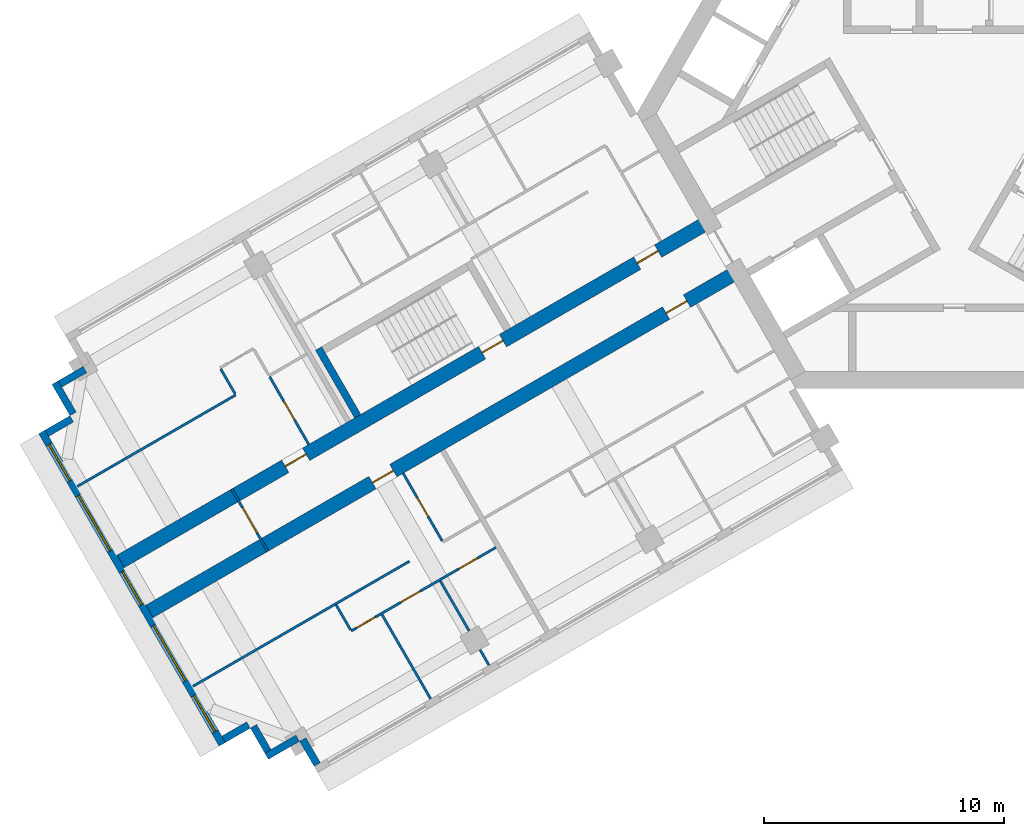
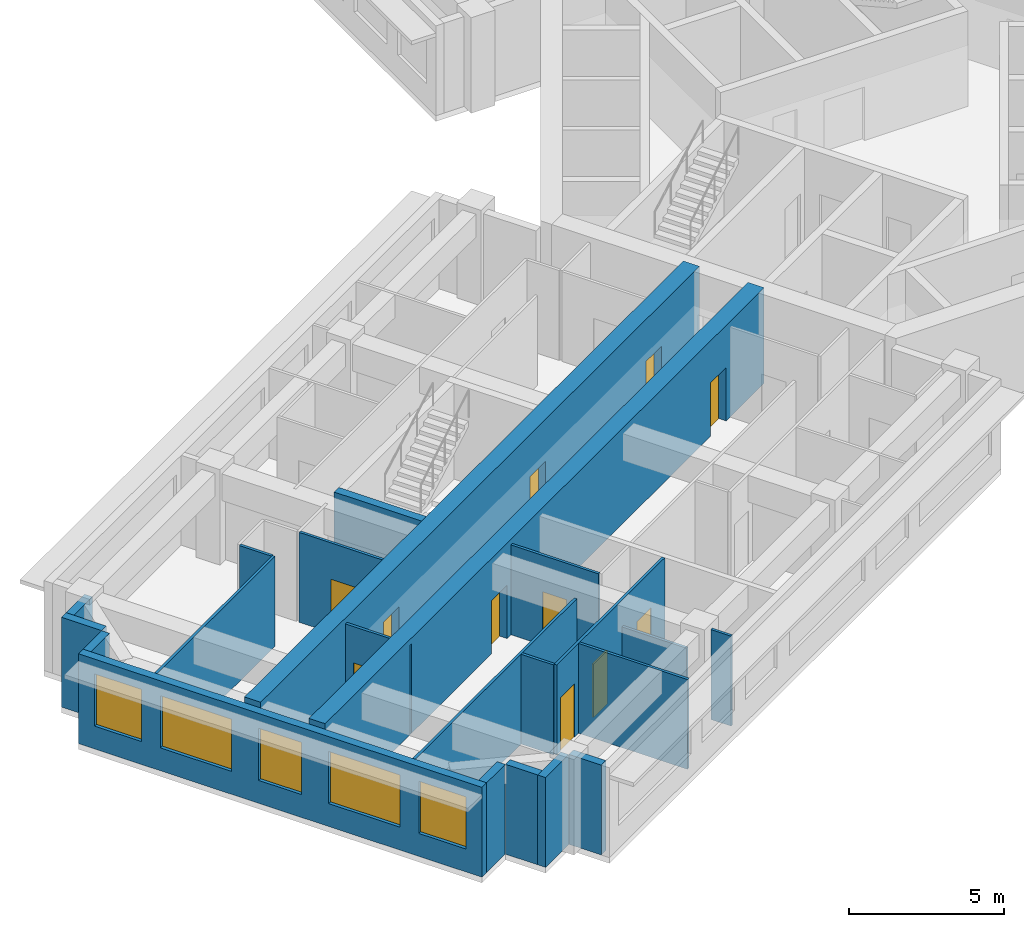
# One storey, part 2 of 11: 22 walls, 11 doors, 5 windows, 16 openings.
"""IFC4 building model written with IfcOpenShell, lengths in metres."""

from ifc_helpers import new_model, si_unit, direction, frame, frame_2d, origin, place, context, subcontext, project, spatial, rectangle, extrude, material, layer, layer_set, type_object, element, fill, save


model = new_model("IFC4")

# Units and contexts
model_context = context("Model", 3, precision=1e-05, world=origin(), true_north=direction((0.0, 1.0)))
body_context = subcontext(model_context, "Body", "Model", "MODEL_VIEW")
ifc_project = project(units=[si_unit("LENGTHUNIT", "METRE"), si_unit("AREAUNIT", "SQUARE_METRE"), si_unit("VOLUMEUNIT", "CUBIC_METRE"), si_unit("PLANEANGLEUNIT", "RADIAN"), si_unit("MASSUNIT", "GRAM", prefix="KILO")], contexts=[model_context])

# Site, building, storey
site_placement = place(None, origin())
site = spatial("IfcSite", under=ifc_project, at=site_placement, CompositionType="ELEMENT")
building_placement = place(site_placement, origin())
building = spatial("IfcBuilding", under=site, at=building_placement, Name="Impinga Residences", CompositionType="ELEMENT")
storey_placement = place(building_placement, frame((0.0, 0.0, 199.75)))
storey = spatial("IfcBuildingStorey", under=building, at=storey_placement, Name="L49", CompositionType="ELEMENT", Elevation=199.75)

# Wall, openings, doors
ifc_material_1 = material(Name="Concrete C60/75", Category="concrete")
ifc_layer_1 = layer(ifc_material_1, 0.60009765625)
ifc_layer_set_1 = layer_set([ifc_layer_1], Name="Concrete C60/75")
wall_type_1 = type_object("IfcWallType", Name="BW3 corridor buttress wall, L46 to L73 600", PredefinedType="SHEAR", material=ifc_layer_set_1)
wall_1_placement = place(storey_placement, frame((-8.996826171875, -6.580078125, 0.0), z_axis=(0.0, 0.0, 1.0), x_axis=(-0.866026415941, -0.499998246889, 0.0)))
wall_1 = element("IfcWall", 1, at=wall_1_placement, inside=storey, type_object=wall_type_1, Name="Corridor wall BW3 WC L49", PredefinedType="SHEAR", context=body_context, shape_type="SweptSolid", body=[
    extrude(rectangle(XDim=28.25, YDim=0.60009765625, at=frame_2d((14.125, 0.0))), origin(), (0.0, 0.0, 1.0), 3.75),
])
opening_1_placement = place(wall_1_placement, frame((2.449951171875, 0.0, 0.0)))
opening_1 = element("IfcOpeningElement", 2, at=opening_1_placement, cuts=wall_1, Name="Opening D1", PredefinedType="OPENING", context=body_context, shape_type="SweptSolid", body=[
    extrude(rectangle(XDim=1.0, YDim=2.10009765625, at=frame_2d((0.5, 1.050048828125))), frame((0.0, 0.31005859375, 0.0), z_axis=(0.0, -1.0, 0.0), x_axis=(1.0, 0.0, 0.0)), (0.0, 0.0, 1.0), 0.6201171875),
])
opening_2_placement = place(wall_1_placement, frame((16.550048828125, 0.0, 0.0)))
opening_2 = element("IfcOpeningElement", 3, at=opening_2_placement, cuts=wall_1, Name="Opening D1", PredefinedType="OPENING", context=body_context, shape_type="SweptSolid", body=[
    extrude(rectangle(XDim=1.0, YDim=2.10009765625, at=frame_2d((0.5, 1.050048828125))), frame((0.0, 0.31005859375, 0.0), z_axis=(0.0, -1.0, 0.0), x_axis=(1.0, 0.0, 0.0)), (0.0, 0.0, 1.0), 0.6201171875),
])
ifc_material_2 = material(Name="Timber door set", Category="wood")
door_type_1 = type_object("IfcDoorType", Name="D1 apartment entrance door 1000x2100", OperationType="SINGLE_SWING_LEFT", PredefinedType="DOOR", material=ifc_material_2)
door_1_placement = place(opening_1_placement, origin())
door_1 = element("IfcDoor", 4, at=door_1_placement, inside=storey, type_object=door_type_1, Name="Apartment L49-WA1 entrance", OperationType="SINGLE_SWING_LEFT", OverallHeight=2.10009765625, OverallWidth=1.0, PredefinedType="DOOR", context=body_context, shape_type="SweptSolid", body=[
    extrude(rectangle(XDim=1.0, YDim=2.10009765625, at=frame_2d((0.5, 1.050048828125))), frame((0.0, 0.02490234375, 0.0), z_axis=(0.0, -1.0, 0.0), x_axis=(1.0, 0.0, 0.0)), (0.0, 0.0, 1.0), 0.050048828125),
])
fill(opening_1, door_1)
door_2_placement = place(opening_2_placement, origin())
door_2 = element("IfcDoor", 5, at=door_2_placement, inside=storey, type_object=door_type_1, Name="Apartment L49-WA2 entrance", OperationType="SINGLE_SWING_RIGHT", OverallHeight=2.10009765625, OverallWidth=1.0, PredefinedType="DOOR", context=body_context, shape_type="SweptSolid", body=[
    extrude(rectangle(XDim=1.0, YDim=2.10009765625, at=frame_2d((0.5, 1.050048828125))), frame((0.0, 0.02490234375, 0.0), z_axis=(0.0, -1.0, 0.0), x_axis=(1.0, 0.0, 0.0)), (0.0, 0.0, 1.0), 0.050048828125),
])
fill(opening_2, door_2)

wall_2_placement = place(storey_placement, frame((-10.19677734375, -4.50146484375, 0.0), z_axis=(0.0, 0.0, 1.0), x_axis=(-0.866026415941, -0.499998246889, 0.0)))
wall_2 = element("IfcWall", 6, at=wall_2_placement, inside=storey, type_object=wall_type_1, Name="Corridor wall BW3 WD L49", PredefinedType="SHEAR", context=body_context, shape_type="SweptSolid", body=[
    extrude(rectangle(XDim=28.25, YDim=0.60009765625, at=frame_2d((14.125, 0.0))), origin(), (0.0, 0.0, 1.0), 3.75),
])
opening_3_placement = place(wall_2_placement, frame((9.89990234375, 0.0, 0.0)))
opening_3 = element("IfcOpeningElement", 7, at=opening_3_placement, cuts=wall_2, Name="Opening D5", PredefinedType="OPENING", context=body_context, shape_type="SweptSolid", body=[
    extrude(rectangle(XDim=1.0, YDim=2.10009765625, at=frame_2d((0.5, 1.050048828125))), frame((0.0, 0.31005859375, 0.0), z_axis=(0.0, -1.0, 0.0), x_axis=(1.0, 0.0, 0.0)), (0.0, 0.0, 1.0), 0.6201171875),
])
opening_4_placement = place(wall_2_placement, frame((2.449951171875, 0.0, 0.0)))
opening_4 = element("IfcOpeningElement", 8, at=opening_4_placement, cuts=wall_2, Name="Opening D1", PredefinedType="OPENING", context=body_context, shape_type="SweptSolid", body=[
    extrude(rectangle(XDim=1.0, YDim=2.10009765625, at=frame_2d((0.5, 1.050048828125))), frame((0.0, 0.31005859375, 0.0), z_axis=(0.0, -1.0, 0.0), x_axis=(1.0, 0.0, 0.0)), (0.0, 0.0, 1.0), 0.6201171875),
])
opening_5_placement = place(wall_2_placement, frame((19.35009765625, 0.0, 0.0)))
opening_5 = element("IfcOpeningElement", 9, at=opening_5_placement, cuts=wall_2, Name="Opening D1", PredefinedType="OPENING", context=body_context, shape_type="SweptSolid", body=[
    extrude(rectangle(XDim=1.0, YDim=2.10009765625, at=frame_2d((0.5, 1.050048828125))), frame((0.0, 0.31005859375, 0.0), z_axis=(0.0, -1.0, 0.0), x_axis=(1.0, 0.0, 0.0)), (0.0, 0.0, 1.0), 0.6201171875),
])
door_3_placement = place(opening_4_placement, origin())
door_3 = element("IfcDoor", 10, at=door_3_placement, inside=storey, type_object=door_type_1, Name="Apartment L49-WF1 entrance", OperationType="SINGLE_SWING_LEFT", OverallHeight=2.10009765625, OverallWidth=1.0, PredefinedType="DOOR", context=body_context, shape_type="SweptSolid", body=[
    extrude(rectangle(XDim=1.0, YDim=2.10009765625, at=frame_2d((0.5, 1.050048828125))), frame((0.0, 0.02490234375, 0.0), z_axis=(0.0, -1.0, 0.0), x_axis=(1.0, 0.0, 0.0)), (0.0, 0.0, 1.0), 0.050048828125),
])
fill(opening_4, door_3)
door_4_placement = place(opening_5_placement, origin())
door_4 = element("IfcDoor", 11, at=door_4_placement, inside=storey, type_object=door_type_1, Name="Apartment L49-WF2 entrance", OperationType="SINGLE_SWING_RIGHT", OverallHeight=2.10009765625, OverallWidth=1.0, PredefinedType="DOOR", context=body_context, shape_type="SweptSolid", body=[
    extrude(rectangle(XDim=1.0, YDim=2.10009765625, at=frame_2d((0.5, 1.050048828125))), frame((0.0, 0.02490234375, 0.0), z_axis=(0.0, -1.0, 0.0), x_axis=(1.0, 0.0, 0.0)), (0.0, 0.0, 1.0), 0.050048828125),
])
fill(opening_5, door_4)
door_type_2 = type_object("IfcDoorType", Name="D5 stair door 1000x2100", OperationType="SINGLE_SWING_LEFT", PredefinedType="DOOR", material=ifc_material_2)
door_5_placement = place(opening_3_placement, origin())
door_5 = element("IfcDoor", 12, at=door_5_placement, inside=storey, type_object=door_type_2, Name="Wing stair door W", OperationType="SINGLE_SWING_LEFT", OverallHeight=2.10009765625, OverallWidth=1.0, PredefinedType="DOOR", context=body_context, shape_type="SweptSolid", body=[
    extrude(rectangle(XDim=1.0, YDim=2.10009765625, at=frame_2d((0.5, 1.050048828125))), frame((0.0, 0.02490234375, 0.0), z_axis=(0.0, -1.0, 0.0), x_axis=(1.0, 0.0, 0.0)), (0.0, 0.0, 1.0), 0.050048828125),
])
fill(opening_3, door_5)

# Wall, opening, door
ifc_material_3 = material(Name="Concrete blockwork", Category="masonry")
ifc_layer_2 = layer(ifc_material_3, 0.10009765625)
ifc_layer_set_2 = layer_set([ifc_layer_2], Name="CP1 core room partition, blockwork 100")
wall_type_2 = type_object("IfcWallType", Name="CP1 core room partition, blockwork 100", PredefinedType="PARTITIONING", material=ifc_layer_set_2)
wall_3_placement = place(storey_placement, frame((-28.549072265625, -18.21484375, 0.0), z_axis=(0.0, 0.0, 1.0), x_axis=(-0.499990139034, 0.866031096941, 0.0)))
wall_3 = element("IfcWall", 13, at=wall_3_placement, inside=storey, type_object=wall_type_2, Name="Core room partition, blockwork L49:W:LNG", PredefinedType="PARTITIONING", context=body_context, shape_type="SweptSolid", body=[
    extrude(rectangle(XDim=3.0, YDim=0.10009765625, at=frame_2d((1.5, 0.0))), origin(), (0.0, 0.0, 1.0), 3.530029296875),
])
opening_6_placement = place(wall_3_placement, frame((0.89990234375, 0.0, 0.0)))
opening_6 = element("IfcOpeningElement", 14, at=opening_6_placement, cuts=wall_3, Name="Opening D3", PredefinedType="OPENING", context=body_context, shape_type="SweptSolid", body=[
    extrude(rectangle(XDim=1.199951171875, YDim=2.10009765625, at=frame_2d((0.60009765625, 1.050048828125))), frame((0.0, 0.06005859375, 0.0), z_axis=(0.0, -1.0, 0.0), x_axis=(1.0, 0.0, 0.0)), (0.0, 0.0, 1.0), 0.1201171875),
])
door_type_3 = type_object("IfcDoorType", Name="D3 room door, leaf and a half 1200x2100", OperationType="DOUBLE_SWING_LEFT", PredefinedType="DOOR", material=ifc_material_2)
door_6_placement = place(opening_6_placement, origin())
door_6 = element("IfcDoor", 15, at=door_6_placement, inside=storey, type_object=door_type_3, Name="Residents' lounge door W", OperationType="DOUBLE_SWING_LEFT", OverallHeight=2.10009765625, OverallWidth=1.199951171875, PredefinedType="DOOR", context=body_context, shape_type="SweptSolid", body=[
    extrude(rectangle(XDim=1.199951171875, YDim=2.10009765625, at=frame_2d((0.60009765625, 1.050048828125))), frame((0.0, 0.02490234375, 0.0), z_axis=(0.0, -1.0, 0.0), x_axis=(1.0, 0.0, 0.0)), (0.0, 0.0, 1.0), 0.050048828125),
])
fill(opening_6, door_6)

# Walls
ifc_material_4 = material(Name="Terracotta rainscreen on blockwork", Category="masonry")
ifc_layer_3 = layer(ifc_material_4, 0.300048828125)
ifc_layer_set_3 = layer_set([ifc_layer_3], Name="EW1 external wall, terracotta rainscreen on blockwork 300")
wall_type_3 = type_object("IfcWallType", Name="EW1 external wall, terracotta rainscreen on blockwork 300", PredefinedType="SOLIDWALL", material=ifc_layer_set_3)
wall_4_placement = place(storey_placement, frame((-26.493896484375, -27.07421875, 0.0), z_axis=(0.0, 0.0, 1.0), x_axis=(-0.500033551112, 0.866006032174, 0.0)))
element("IfcWall", 16, at=wall_4_placement, inside=storey, type_object=wall_type_3, Name="External wall EW1 L49", PredefinedType="SOLIDWALL", context=body_context, shape_type="SweptSolid", body=[
    extrude(rectangle(XDim=1.2001953125, YDim=0.300048828125, at=frame_2d((0.60009765625, 0.0))), origin(), (0.0, 0.0, 1.0), 3.530029296875),
])
wall_5_placement = place(storey_placement, frame((-27.30322265625, -25.982666015625, 0.0), z_axis=(0.0, 0.0, 1.0), x_axis=(-0.866074087889, -0.499915667175, 0.0)))
element("IfcWall", 17, at=wall_5_placement, inside=storey, type_object=wall_type_3, Name="External wall EW1 L49", PredefinedType="SOLIDWALL", context=body_context, shape_type="SweptSolid", body=[
    extrude(rectangle(XDim=1.494873046875, YDim=0.300048828125, at=frame_2d((0.74755859375, 0.0))), origin(), (0.0, 0.0, 1.0), 3.530029296875),
])
wall_6_placement = place(storey_placement, frame((-28.54296875, -26.525146484375, 0.0), z_axis=(0.0, 0.0, 1.0), x_axis=(-0.500033551112, 0.866006032174, 0.0)))
element("IfcWall", 18, at=wall_6_placement, inside=storey, type_object=wall_type_3, Name="External wall EW1 L49", PredefinedType="SOLIDWALL", context=body_context, shape_type="SweptSolid", body=[
    extrude(rectangle(XDim=1.2001953125, YDim=0.300048828125, at=frame_2d((0.60009765625, 0.0))), origin(), (0.0, 0.0, 1.0), 3.530029296875),
])
wall_7_placement = place(storey_placement, frame((-29.352294921875, -25.43359375, 0.0), z_axis=(0.0, 0.0, 1.0), x_axis=(-0.866059708757, -0.499940577336, 0.0)))
element("IfcWall", 19, at=wall_7_placement, inside=storey, type_object=wall_type_3, Name="External wall EW1 L49", PredefinedType="SOLIDWALL", context=body_context, shape_type="SweptSolid", body=[
    extrude(rectangle(XDim=1.195068359375, YDim=0.300048828125, at=frame_2d((0.59765625, 0.0))), origin(), (0.0, 0.0, 1.0), 3.530029296875),
])

# Wall, openings, windows
wall_8_placement = place(storey_placement, frame((-30.44189453125, -26.23583984375, 0.0), z_axis=(0.0, 0.0, 1.0), x_axis=(-0.500004234368, 0.866022959057, 0.0)))
wall_8 = element("IfcWall", 20, at=wall_8_placement, inside=storey, type_object=wall_type_3, Name="External wall EW1 L49", PredefinedType="SOLIDWALL", context=body_context, shape_type="SweptSolid", body=[
    extrude(rectangle(XDim=14.999755859375, YDim=0.300048828125, at=frame_2d((7.5, 0.0))), origin(), (0.0, 0.0, 1.0), 3.530029296875),
])
opening_7_placement = place(wall_8_placement, frame((0.60009765625, 0.0, 0.89990234375)))
opening_7 = element("IfcOpeningElement", 21, at=opening_7_placement, cuts=wall_8, Name="Opening W1", PredefinedType="OPENING", context=body_context, shape_type="SweptSolid", body=[
    extrude(rectangle(XDim=1.75, YDim=2.050048828125, at=frame_2d((0.875, 1.02490234375))), frame((0.0, 0.159912109375, 0.0), z_axis=(0.0, -1.0, 0.0), x_axis=(1.0, 0.0, 0.0)), (0.0, 0.0, 1.0), 0.320068359375),
])
opening_8_placement = place(wall_8_placement, frame((3.050048828125, 0.0, 0.89990234375)))
opening_8 = element("IfcOpeningElement", 22, at=opening_8_placement, cuts=wall_8, Name="Opening W18", PredefinedType="OPENING", context=body_context, shape_type="SweptSolid", body=[
    extrude(rectangle(XDim=2.64990234375, YDim=2.050048828125, at=frame_2d((1.324951171875, 1.02490234375))), frame((0.0, 0.159912109375, 0.0), z_axis=(0.0, -1.0, 0.0), x_axis=(1.0, 0.0, 0.0)), (0.0, 0.0, 1.0), 0.320068359375),
])
opening_9_placement = place(wall_8_placement, frame((6.699951171875, 0.0, 0.89990234375)))
opening_9 = element("IfcOpeningElement", 23, at=opening_9_placement, cuts=wall_8, Name="Opening W19", PredefinedType="OPENING", context=body_context, shape_type="SweptSolid", body=[
    extrude(rectangle(XDim=1.60009765625, YDim=2.050048828125, at=frame_2d((0.800048828125, 1.02490234375))), frame((0.0, 0.159912109375, 0.0), z_axis=(0.0, -1.0, 0.0), x_axis=(1.0, 0.0, 0.0)), (0.0, 0.0, 1.0), 0.320068359375),
])
opening_10_placement = place(wall_8_placement, frame((9.300048828125, 0.0, 0.89990234375)))
opening_10 = element("IfcOpeningElement", 24, at=opening_10_placement, cuts=wall_8, Name="Opening W18", PredefinedType="OPENING", context=body_context, shape_type="SweptSolid", body=[
    extrude(rectangle(XDim=2.64990234375, YDim=2.050048828125, at=frame_2d((1.324951171875, 1.02490234375))), frame((0.0, 0.159912109375, 0.0), z_axis=(0.0, -1.0, 0.0), x_axis=(1.0, 0.0, 0.0)), (0.0, 0.0, 1.0), 0.320068359375),
])
opening_11_placement = place(wall_8_placement, frame((12.64990234375, 0.0, 0.89990234375)))
opening_11 = element("IfcOpeningElement", 25, at=opening_11_placement, cuts=wall_8, Name="Opening W1", PredefinedType="OPENING", context=body_context, shape_type="SweptSolid", body=[
    extrude(rectangle(XDim=1.75, YDim=2.050048828125, at=frame_2d((0.875, 1.02490234375))), frame((0.0, 0.159912109375, 0.0), z_axis=(0.0, -1.0, 0.0), x_axis=(1.0, 0.0, 0.0)), (0.0, 0.0, 1.0), 0.320068359375),
])
ifc_material_5 = material(Name="Aluminium window, clear double glazing", Category="aluminium")
window_type_1 = type_object("IfcWindowType", Name="W1 ribbon window 1750x2050", PartitioningType="SINGLE_PANEL", PredefinedType="WINDOW", material=ifc_material_5)
window_1_placement = place(opening_7_placement, origin())
window_1 = element("IfcWindow", 26, at=window_1_placement, inside=storey, type_object=window_type_1, Name="Window L49", OverallHeight=2.050048828125, OverallWidth=1.75, PartitioningType="SINGLE_PANEL", PredefinedType="WINDOW", context=body_context, shape_type="SweptSolid", body=[
    extrude(rectangle(XDim=1.75, YDim=2.050048828125, at=frame_2d((0.875, 1.02490234375))), frame((0.0, 0.030029296875, 0.0), z_axis=(0.0, -1.0, 0.0), x_axis=(1.0, 0.0, 0.0)), (0.0, 0.0, 1.0), 0.06005859375),
])
fill(opening_7, window_1)
window_2_placement = place(opening_11_placement, origin())
window_2 = element("IfcWindow", 27, at=window_2_placement, inside=storey, type_object=window_type_1, Name="Window L49", OverallHeight=2.050048828125, OverallWidth=1.75, PartitioningType="SINGLE_PANEL", PredefinedType="WINDOW", context=body_context, shape_type="SweptSolid", body=[
    extrude(rectangle(XDim=1.75, YDim=2.050048828125, at=frame_2d((0.875, 1.02490234375))), frame((0.0, 0.030029296875, 0.0), z_axis=(0.0, -1.0, 0.0), x_axis=(1.0, 0.0, 0.0)), (0.0, 0.0, 1.0), 0.06005859375),
])
fill(opening_11, window_2)
window_type_2 = type_object("IfcWindowType", Name="W18 ribbon window 2650x2050", PartitioningType="SINGLE_PANEL", PredefinedType="WINDOW", material=ifc_material_5)
window_3_placement = place(opening_8_placement, origin())
window_3 = element("IfcWindow", 28, at=window_3_placement, inside=storey, type_object=window_type_2, Name="Window L49", OverallHeight=2.050048828125, OverallWidth=2.64990234375, PartitioningType="SINGLE_PANEL", PredefinedType="WINDOW", context=body_context, shape_type="SweptSolid", body=[
    extrude(rectangle(XDim=2.64990234375, YDim=2.050048828125, at=frame_2d((1.324951171875, 1.02490234375))), frame((0.0, 0.030029296875, 0.0), z_axis=(0.0, -1.0, 0.0), x_axis=(1.0, 0.0, 0.0)), (0.0, 0.0, 1.0), 0.06005859375),
])
fill(opening_8, window_3)
window_4_placement = place(opening_10_placement, origin())
window_4 = element("IfcWindow", 29, at=window_4_placement, inside=storey, type_object=window_type_2, Name="Window L49", OverallHeight=2.050048828125, OverallWidth=2.64990234375, PartitioningType="SINGLE_PANEL", PredefinedType="WINDOW", context=body_context, shape_type="SweptSolid", body=[
    extrude(rectangle(XDim=2.64990234375, YDim=2.050048828125, at=frame_2d((1.324951171875, 1.02490234375))), frame((0.0, 0.030029296875, 0.0), z_axis=(0.0, -1.0, 0.0), x_axis=(1.0, 0.0, 0.0)), (0.0, 0.0, 1.0), 0.06005859375),
])
fill(opening_10, window_4)
window_type_3 = type_object("IfcWindowType", Name="W19 ribbon window 1600x2050", PartitioningType="SINGLE_PANEL", PredefinedType="WINDOW", material=ifc_material_5)
window_5_placement = place(opening_9_placement, origin())
window_5 = element("IfcWindow", 30, at=window_5_placement, inside=storey, type_object=window_type_3, Name="Window L49", OverallHeight=2.050048828125, OverallWidth=1.60009765625, PartitioningType="SINGLE_PANEL", PredefinedType="WINDOW", context=body_context, shape_type="SweptSolid", body=[
    extrude(rectangle(XDim=1.60009765625, YDim=2.050048828125, at=frame_2d((0.800048828125, 1.02490234375))), frame((0.0, 0.030029296875, 0.0), z_axis=(0.0, -1.0, 0.0), x_axis=(1.0, 0.0, 0.0)), (0.0, 0.0, 1.0), 0.06005859375),
])
fill(opening_9, window_5)

# Walls
wall_9_placement = place(storey_placement, frame((-37.737060546875, -13.300537109375, 0.0), z_axis=(0.0, 0.0, 1.0), x_axis=(0.865971243484, 0.500093796661, 0.0)))
element("IfcWall", 31, at=wall_9_placement, inside=storey, type_object=wall_type_3, Name="External wall EW1 L49", PredefinedType="SOLIDWALL", context=body_context, shape_type="SweptSolid", body=[
    extrude(rectangle(XDim=1.195068359375, YDim=0.300048828125, at=frame_2d((0.59765625, 0.0))), origin(), (0.0, 0.0, 1.0), 3.530029296875),
])
wall_10_placement = place(storey_placement, frame((-36.64306640625, -12.49560546875, 0.0), z_axis=(0.0, 0.0, 1.0), x_axis=(-0.499990139034, 0.866031096941, 0.0)))
element("IfcWall", 32, at=wall_10_placement, inside=storey, type_object=wall_type_3, Name="External wall EW1 L49", PredefinedType="SOLIDWALL", context=body_context, shape_type="SweptSolid", body=[
    extrude(rectangle(XDim=1.5, YDim=0.300048828125, at=frame_2d((0.75, 0.0))), origin(), (0.0, 0.0, 1.0), 3.530029296875),
])
wall_11_placement = place(storey_placement, frame((-37.18798828125, -11.25146484375, 0.0), z_axis=(0.0, 0.0, 1.0), x_axis=(0.866059708757, 0.499940577336, 0.0)))
element("IfcWall", 33, at=wall_11_placement, inside=storey, type_object=wall_type_3, Name="External wall EW1 L49", PredefinedType="SOLIDWALL", context=body_context, shape_type="SweptSolid", body=[
    extrude(rectangle(XDim=1.195068359375, YDim=0.300048828125, at=frame_2d((0.59765625, 0.0))), origin(), (0.0, 0.0, 1.0), 3.530029296875),
])
ifc_material_6 = material(Name="Gypsum board on steel studs", Category="steel")
ifc_layer_4 = layer(ifc_material_6, 0.10009765625)
ifc_layer_set_4 = layer_set([ifc_layer_4], Name="Gypsum board on steel studs")
wall_type_4 = type_object("IfcWallType", Name="IP1 partition 100", PredefinedType="PARTITIONING", material=ifc_layer_set_4)
wall_12_placement = place(storey_placement, frame((-22.655517578125, -18.622802734375, 0.0), z_axis=(0.0, 0.0, 1.0), x_axis=(-0.866025696342, -0.499999493275, 0.0)))
element("IfcWall", 34, at=wall_12_placement, inside=storey, type_object=wall_type_4, Name="Partition L49-WA2:DIV1", PredefinedType="PARTITIONING", context=body_context, shape_type="SweptSolid", body=[
    extrude(rectangle(XDim=10.39990234375, YDim=0.10009765625, at=frame_2d((5.199951171875, 0.0))), origin(), (0.0, 0.0, 1.0), 3.530029296875),
])

# Wall, openings, doors
wall_13_placement = place(storey_placement, frame((-19.06103515625, -18.048583984375, 0.0), z_axis=(0.0, 0.0, 1.0), x_axis=(-0.866031734426, -0.499989034847, 0.0)))
wall_13 = element("IfcWall", 35, at=wall_13_placement, inside=storey, type_object=wall_type_4, Name="Partition L49-WA2:STRIP", PredefinedType="PARTITIONING", context=body_context, shape_type="SweptSolid", body=[
    extrude(rectangle(XDim=6.949951171875, YDim=0.10009765625, at=frame_2d((3.47509765625, 0.0))), origin(), (0.0, 0.0, 1.0), 3.530029296875),
])
opening_12_placement = place(wall_13_placement, frame((0.875, 0.0, 0.0)))
opening_12 = element("IfcOpeningElement", 36, at=opening_12_placement, cuts=wall_13, Name="Opening D2", PredefinedType="OPENING", context=body_context, shape_type="SweptSolid", body=[
    extrude(rectangle(XDim=0.89990234375, YDim=2.10009765625, at=frame_2d((0.449951171875, 1.050048828125))), frame((0.0, 0.06005859375, 0.0), z_axis=(0.0, -1.0, 0.0), x_axis=(1.0, 0.0, 0.0)), (0.0, 0.0, 1.0), 0.1201171875),
])
opening_13_placement = place(wall_13_placement, frame((3.64990234375, 0.0, 0.0)))
opening_13 = element("IfcOpeningElement", 37, at=opening_13_placement, cuts=wall_13, Name="Opening D2", PredefinedType="OPENING", context=body_context, shape_type="SweptSolid", body=[
    extrude(rectangle(XDim=0.89990234375, YDim=2.10009765625, at=frame_2d((0.449951171875, 1.050048828125))), frame((0.0, 0.06005859375, 0.0), z_axis=(0.0, -1.0, 0.0), x_axis=(1.0, 0.0, 0.0)), (0.0, 0.0, 1.0), 0.1201171875),
])
opening_14_placement = place(wall_13_placement, frame((5.800048828125, 0.0, 0.0)))
opening_14 = element("IfcOpeningElement", 38, at=opening_14_placement, cuts=wall_13, Name="Opening D2", PredefinedType="OPENING", context=body_context, shape_type="SweptSolid", body=[
    extrude(rectangle(XDim=0.89990234375, YDim=2.10009765625, at=frame_2d((0.449951171875, 1.050048828125))), frame((0.0, 0.06005859375, 0.0), z_axis=(0.0, -1.0, 0.0), x_axis=(1.0, 0.0, 0.0)), (0.0, 0.0, 1.0), 0.1201171875),
])
door_type_4 = type_object("IfcDoorType", Name="D2 internal door 900x2100", OperationType="SINGLE_SWING_LEFT", PredefinedType="DOOR", material=ifc_material_2)
door_7_placement = place(opening_12_placement, origin())
door_7 = element("IfcDoor", 39, at=door_7_placement, inside=storey, type_object=door_type_4, Name="Apartment L49-WA2 room door", OperationType="SINGLE_SWING_LEFT", OverallHeight=2.10009765625, OverallWidth=0.89990234375, PredefinedType="DOOR", context=body_context, shape_type="SweptSolid", body=[
    extrude(rectangle(XDim=0.89990234375, YDim=2.10009765625, at=frame_2d((0.449951171875, 1.050048828125))), frame((0.0, 0.02490234375, 0.0), z_axis=(0.0, -1.0, 0.0), x_axis=(1.0, 0.0, 0.0)), (0.0, 0.0, 1.0), 0.050048828125),
])
fill(opening_12, door_7)
door_8_placement = place(opening_13_placement, origin())
door_8 = element("IfcDoor", 40, at=door_8_placement, inside=storey, type_object=door_type_4, Name="Apartment L49-WA2 room door", OperationType="SINGLE_SWING_RIGHT", OverallHeight=2.10009765625, OverallWidth=0.89990234375, PredefinedType="DOOR", context=body_context, shape_type="SweptSolid", body=[
    extrude(rectangle(XDim=0.89990234375, YDim=2.10009765625, at=frame_2d((0.449951171875, 1.050048828125))), frame((0.0, 0.02490234375, 0.0), z_axis=(0.0, -1.0, 0.0), x_axis=(1.0, 0.0, 0.0)), (0.0, 0.0, 1.0), 0.050048828125),
])
fill(opening_13, door_8)
door_9_placement = place(opening_14_placement, origin())
door_9 = element("IfcDoor", 41, at=door_9_placement, inside=storey, type_object=door_type_4, Name="Apartment L49-WA2 room door", OperationType="SINGLE_SWING_RIGHT", OverallHeight=2.10009765625, OverallWidth=0.89990234375, PredefinedType="DOOR", context=body_context, shape_type="SweptSolid", body=[
    extrude(rectangle(XDim=0.89990234375, YDim=2.10009765625, at=frame_2d((0.449951171875, 1.050048828125))), frame((0.0, 0.02490234375, 0.0), z_axis=(0.0, -1.0, 0.0), x_axis=(1.0, 0.0, 0.0)), (0.0, 0.0, 1.0), 0.050048828125),
])
fill(opening_14, door_9)

# Wall
wall_14_placement = place(storey_placement, frame((-25.704833984375, -20.44091796875, 0.0), z_axis=(0.0, 0.0, 1.0), x_axis=(0.500033551112, -0.866006032174, 0.0)))
element("IfcWall", 42, at=wall_14_placement, inside=storey, type_object=wall_type_4, Name="Partition L49-WA2:SE1", PredefinedType="PARTITIONING", context=body_context, shape_type="SweptSolid", body=[
    extrude(rectangle(XDim=1.2001953125, YDim=0.10009765625, at=frame_2d((0.60009765625, 0.0))), origin(), (0.0, 0.0, 1.0), 3.530029296875),
])

# Wall, opening, door
wall_15_placement = place(storey_placement, frame((-22.919921875, -14.96484375, 0.0), z_axis=(0.0, 0.0, 1.0), x_axis=(0.500017246033, -0.866015446554, 0.0)))
wall_15 = element("IfcWall", 43, at=wall_15_placement, inside=storey, type_object=wall_type_4, Name="Partition L49-WA2:IB1", PredefinedType="PARTITIONING", context=body_context, shape_type="SweptSolid", body=[
    extrude(rectangle(XDim=3.25, YDim=0.10009765625, at=frame_2d((1.625, 0.0))), origin(), (0.0, 0.0, 1.0), 3.530029296875),
])
opening_15_placement = place(wall_15_placement, frame((1.175048828125, 0.0, 0.0)))
opening_15 = element("IfcOpeningElement", 44, at=opening_15_placement, cuts=wall_15, Name="Opening D2", PredefinedType="OPENING", context=body_context, shape_type="SweptSolid", body=[
    extrude(rectangle(XDim=0.89990234375, YDim=2.10009765625, at=frame_2d((0.449951171875, 1.050048828125))), frame((0.0, 0.06005859375, 0.0), z_axis=(0.0, -1.0, 0.0), x_axis=(1.0, 0.0, 0.0)), (0.0, 0.0, 1.0), 0.1201171875),
])
door_10_placement = place(opening_15_placement, origin())
door_10 = element("IfcDoor", 45, at=door_10_placement, inside=storey, type_object=door_type_4, Name="Apartment L49-WA2 bathroom door", OperationType="SINGLE_SWING_LEFT", OverallHeight=2.10009765625, OverallWidth=0.89990234375, PredefinedType="DOOR", context=body_context, shape_type="SweptSolid", body=[
    extrude(rectangle(XDim=0.89990234375, YDim=2.10009765625, at=frame_2d((0.449951171875, 1.050048828125))), frame((0.0, 0.02490234375, 0.0), z_axis=(0.0, -1.0, 0.0), x_axis=(1.0, 0.0, 0.0)), (0.0, 0.0, 1.0), 0.050048828125),
])
fill(opening_15, door_10)

# Walls
wall_16_placement = place(storey_placement, frame((-21.374267578125, -19.44189453125, 0.0), z_axis=(0.0, 0.0, 1.0), x_axis=(0.500001309137, -0.866024647952, 0.0)))
element("IfcWall", 46, at=wall_16_placement, inside=storey, type_object=wall_type_4, Name="Partition L49-WA2:OB1", PredefinedType="PARTITIONING", context=body_context, shape_type="SweptSolid", body=[
    extrude(rectangle(XDim=2.39990234375, YDim=0.10009765625, at=frame_2d((1.199951171875, 0.0))), origin(), (0.0, 0.0, 1.0), 2.47998046875),
])
wall_17_placement = place(storey_placement, frame((-19.72412109375, -22.2998046875, 0.0), z_axis=(0.0, 0.0, 1.0), x_axis=(0.500060622324, -0.86599040064, 0.0)))
element("IfcWall", 47, at=wall_17_placement, inside=storey, type_object=wall_type_4, Name="Partition L49-WA2:OB1b", PredefinedType="PARTITIONING", context=body_context, shape_type="SweptSolid", body=[
    extrude(rectangle(XDim=0.75, YDim=0.10009765625, at=frame_2d((0.375, 0.0))), origin(), (0.0, 0.0, 1.0), 3.530029296875),
])
wall_18_placement = place(storey_placement, frame((-23.799072265625, -20.841796875, 0.0), z_axis=(0.0, 0.0, 1.0), x_axis=(0.499990325971, -0.866030989016, 0.0)))
element("IfcWall", 48, at=wall_18_placement, inside=storey, type_object=wall_type_4, Name="Partition L49-WA2:OB2", PredefinedType="PARTITIONING", context=body_context, shape_type="SweptSolid", body=[
    extrude(rectangle(XDim=4.0498046875, YDim=0.10009765625, at=frame_2d((2.02490234375, 0.0))), origin(), (0.0, 0.0, 1.0), 3.530029296875),
])
wall_19_placement = place(storey_placement, frame((-29.88037109375, -11.708740234375, 0.0), z_axis=(0.0, 0.0, 1.0), x_axis=(-0.866022425744, -0.500005158081, 0.0)))
element("IfcWall", 49, at=wall_19_placement, inside=storey, type_object=wall_type_4, Name="Partition L49-WF2:DIV1", PredefinedType="PARTITIONING", context=body_context, shape_type="SweptSolid", body=[
    extrude(rectangle(XDim=7.60009765625, YDim=0.10009765625, at=frame_2d((3.800048828125, 0.0))), origin(), (0.0, 0.0, 1.0), 3.530029296875),
])
wall_20_placement = place(storey_placement, frame((-29.9052734375, -11.66552734375, 0.0), z_axis=(0.0, 0.0, 1.0), x_axis=(-0.500033551112, 0.866006032174, 0.0)))
element("IfcWall", 50, at=wall_20_placement, inside=storey, type_object=wall_type_4, Name="Partition L49-WF2:SE1", PredefinedType="PARTITIONING", context=body_context, shape_type="SweptSolid", body=[
    extrude(rectangle(XDim=1.2001953125, YDim=0.10009765625, at=frame_2d((0.60009765625, 0.0))), origin(), (0.0, 0.0, 1.0), 3.530029296875),
])

# Wall, opening, door
wall_21_placement = place(storey_placement, frame((-26.8447265625, -13.766845703125, 0.0), z_axis=(0.0, 0.0, 1.0), x_axis=(-0.499984717929, 0.866034226713, 0.0)))
wall_21 = element("IfcWall", 51, at=wall_21_placement, inside=storey, type_object=wall_type_4, Name="Partition L49-WF2:IB1", PredefinedType="PARTITIONING", context=body_context, shape_type="SweptSolid", body=[
    extrude(rectangle(XDim=3.25, YDim=0.10009765625, at=frame_2d((1.625, 0.0))), origin(), (0.0, 0.0, 1.0), 3.530029296875),
])
opening_16_placement = place(wall_21_placement, frame((1.175048828125, 0.0, 0.0)))
opening_16 = element("IfcOpeningElement", 52, at=opening_16_placement, cuts=wall_21, Name="Opening D2", PredefinedType="OPENING", context=body_context, shape_type="SweptSolid", body=[
    extrude(rectangle(XDim=0.89990234375, YDim=2.10009765625, at=frame_2d((0.449951171875, 1.050048828125))), frame((0.0, 0.06005859375, 0.0), z_axis=(0.0, -1.0, 0.0), x_axis=(1.0, 0.0, 0.0)), (0.0, 0.0, 1.0), 0.1201171875),
])
door_11_placement = place(opening_16_placement, origin())
door_11 = element("IfcDoor", 53, at=door_11_placement, inside=storey, type_object=door_type_4, Name="Apartment L49-WF2 bathroom door", OperationType="SINGLE_SWING_LEFT", OverallHeight=2.10009765625, OverallWidth=0.89990234375, PredefinedType="DOOR", context=body_context, shape_type="SweptSolid", body=[
    extrude(rectangle(XDim=0.89990234375, YDim=2.10009765625, at=frame_2d((0.449951171875, 1.050048828125))), frame((0.0, 0.02490234375, 0.0), z_axis=(0.0, -1.0, 0.0), x_axis=(1.0, 0.0, 0.0)), (0.0, 0.0, 1.0), 0.050048828125),
])
fill(opening_16, door_11)

# Wall
ifc_layer_5 = layer(ifc_material_1, 0.300048828125)
ifc_layer_set_5 = layer_set([ifc_layer_5], Name="Concrete C60/75")
wall_type_5 = type_object("IfcWallType", Name="SE1 wing stair enclosure wall 300", PredefinedType="SOLIDWALL", material=ifc_layer_set_5)
wall_22_placement = place(storey_placement, frame((-24.8095703125, -12.591796875, 0.0), z_axis=(0.0, 0.0, 1.0), x_axis=(-0.499984717929, 0.866034226713, 0.0)))
element("IfcWall", 54, at=wall_22_placement, inside=storey, type_object=wall_type_5, Name="Stair enclosure wall SE1 W END1 L49", PredefinedType="SOLIDWALL", context=body_context, shape_type="SweptSolid", body=[
    extrude(rectangle(XDim=3.25, YDim=0.300048828125, at=frame_2d((1.625, 0.0))), origin(), (0.0, 0.0, 1.0), 3.75),
])

save(model, "model.ifc")
